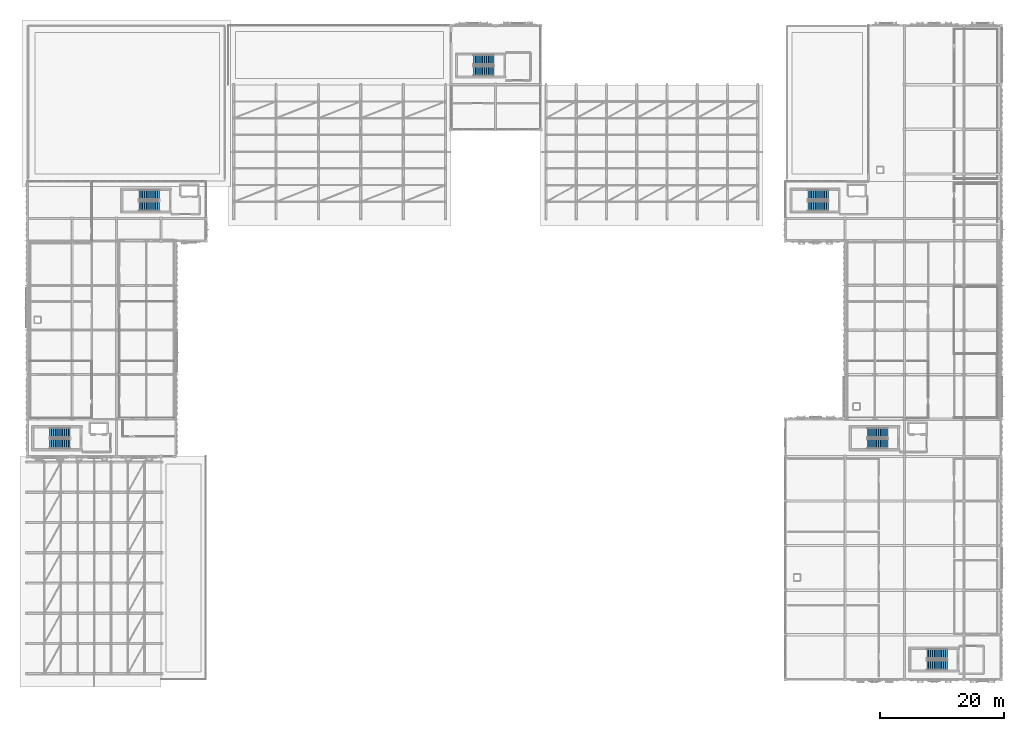
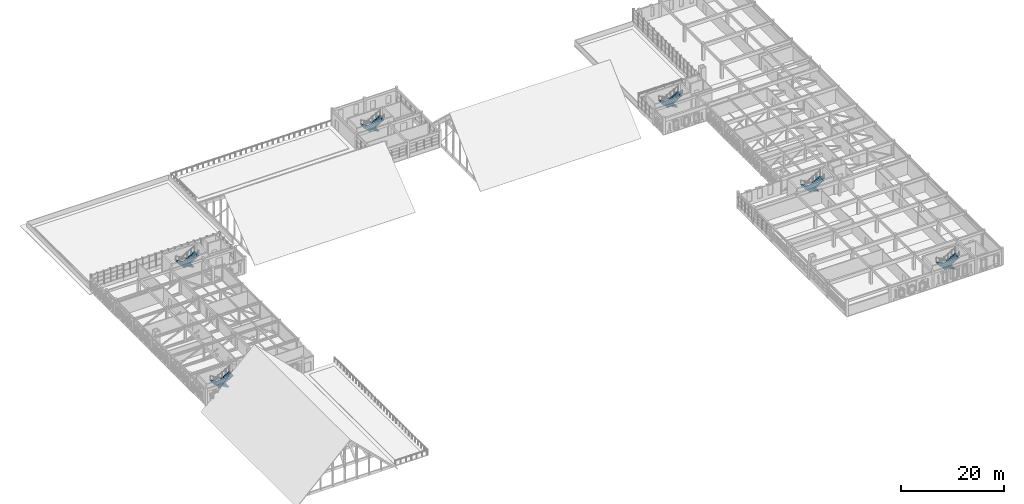
# One storey, part 54 of 79: 12 stair flights, 6 elements without a shape of their own.
"""IFC4 building model written with IfcOpenShell, lengths in metres."""

from ifc_helpers import new_model, si_unit, direction, frame, origin, place, context, subcontext, project, spatial, polyline, outline, extrude, material, type_object, element, aggregate, save


model = new_model("IFC4")

# Units and contexts
model_context = context("Model", 3, precision=1e-05, world=origin(), true_north=direction((0.0, 1.0)))
body_context = subcontext(model_context, "Body", "Model", "MODEL_VIEW")
ifc_project = project(units=[si_unit("LENGTHUNIT", "METRE"), si_unit("AREAUNIT", "SQUARE_METRE"), si_unit("VOLUMEUNIT", "CUBIC_METRE"), si_unit("PLANEANGLEUNIT", "RADIAN"), si_unit("MASSUNIT", "GRAM", prefix="KILO")], contexts=[model_context])

# Site, building, storey
site_placement = place(None, origin())
site = spatial("IfcSite", under=ifc_project, at=site_placement, CompositionType="ELEMENT")
building_placement = place(site_placement, origin())
building = spatial("IfcBuilding", under=site, at=building_placement, Name="Nzembalo Square Collegiate School", CompositionType="ELEMENT")
storey_placement = place(building_placement, frame((0.0, 0.0, 9.52001953125)))
storey = spatial("IfcBuildingStorey", under=building, at=storey_placement, Name="L02", CompositionType="ELEMENT", Elevation=9.52001953125)

# Stair, stair flights
ifc_material_1 = material(Name="Precast concrete C40/50", Category="concrete")
stair_type = type_object("IfcStairType", Name="ST-24R", PredefinedType="HALF_TURN_STAIR", material=ifc_material_1)
stair_1_placement = place(storey_placement, origin())
stair_1 = element("IfcStair", 1, at=stair_1_placement, inside=storey, type_object=stair_type, Name="Escape stair ST-04 (C1 L02)", PredefinedType="HALF_TURN_STAIR")
ifc_material_2 = material(Name="Precast concrete C40/50", Category="concrete")
stair_flight_type = type_object("IfcStairFlightType", Name="FL-12R", PredefinedType="STRAIGHT", material=ifc_material_2)
stair_flight_1_placement = place(storey_placement, frame((15.300048828125, 48.199951171875, 0.0), z_axis=(0.0, 0.0, 1.0), x_axis=(-1.0, 0.0, 0.0)))
stair_flight_1 = element("IfcStairFlight", 2, at=stair_flight_1_placement, type_object=stair_flight_type, Name="ST-04 flight 1", NumberOfRisers=12, NumberOfTreads=11, PredefinedType="STRAIGHT", RiserHeight=0.17, TreadLength=0.3, context=body_context, shape_type="SweptSolid", body=[
    extrude(outline(polyline([(0.0, 0.0), (0.0, 0.169921875), (0.300048828125, 0.169921875), (0.300048828125, 0.340087890625), (0.60009765625, 0.340087890625), (0.60009765625, 0.510009765625), (0.89990234375, 0.510009765625), (0.89990234375, 0.679931640625), (1.199951171875, 0.679931640625), (1.199951171875, 0.85009765625), (1.5, 0.85009765625), (1.5, 1.02001953125), (1.800048828125, 1.02001953125), (1.800048828125, 1.18994140625), (2.10009765625, 1.18994140625), (2.10009765625, 1.360107421875), (2.39990234375, 1.360107421875), (2.39990234375, 1.530029296875), (2.699951171875, 1.530029296875), (2.699951171875, 1.699951171875), (3.0, 1.699951171875), (3.0, 1.8701171875), (3.300048828125, 1.8701171875), (3.300048828125, 2.0400390625), (3.300048828125, 1.686279296875), (0.324462890625, 0.0), (0.0, 0.0)])), frame((0.0, 0.800048828125, 0.0), z_axis=(0.0, -1.0, 0.0), x_axis=(1.0, 0.0, 0.0)), (0.0, 0.0, 1.0), 1.60009765625),
])
stair_flight_2_placement = place(storey_placement, frame((12.0, 46.39990234375, 2.0400390625), z_axis=(0.0, 0.0, 1.0), x_axis=(1.0, 0.0, 0.0)))
stair_flight_2 = element("IfcStairFlight", 3, at=stair_flight_2_placement, type_object=stair_flight_type, Name="ST-04 flight 2", NumberOfRisers=12, NumberOfTreads=11, PredefinedType="STRAIGHT", RiserHeight=0.17, TreadLength=0.3, context=body_context, shape_type="SweptSolid", body=[
    extrude(outline(polyline([(0.0, 0.0), (0.0, 0.169921875), (0.300048828125, 0.169921875), (0.300048828125, 0.340087890625), (0.60009765625, 0.340087890625), (0.60009765625, 0.510009765625), (0.89990234375, 0.510009765625), (0.89990234375, 0.679931640625), (1.199951171875, 0.679931640625), (1.199951171875, 0.85009765625), (1.5, 0.85009765625), (1.5, 1.02001953125), (1.800048828125, 1.02001953125), (1.800048828125, 1.18994140625), (2.10009765625, 1.18994140625), (2.10009765625, 1.360107421875), (2.39990234375, 1.360107421875), (2.39990234375, 1.530029296875), (2.699951171875, 1.530029296875), (2.699951171875, 1.699951171875), (3.0, 1.699951171875), (3.0, 1.8701171875), (3.300048828125, 1.8701171875), (3.300048828125, 2.0400390625), (3.300048828125, 1.686279296875), (0.324462890625, 0.0), (0.0, 0.0)])), frame((0.0, 0.800048828125, 0.0), z_axis=(0.0, -1.0, 0.0), x_axis=(1.0, 0.0, 0.0)), (0.0, 0.0, 1.0), 1.60009765625),
])
aggregate(stair_1, [stair_flight_1, stair_flight_2])

stair_2_placement = place(storey_placement, origin())
stair_2 = element("IfcStair", 4, at=stair_2_placement, inside=storey, type_object=stair_type, Name="Escape stair ST-08 (C2 L02)", PredefinedType="HALF_TURN_STAIR")
stair_flight_3_placement = place(storey_placement, frame((29.699951171875, 86.60009765625, 0.0), z_axis=(0.0, 0.0, 1.0), x_axis=(-1.0, 0.0, 0.0)))
stair_flight_3 = element("IfcStairFlight", 5, at=stair_flight_3_placement, type_object=stair_flight_type, Name="ST-08 flight 1", NumberOfRisers=12, NumberOfTreads=11, PredefinedType="STRAIGHT", RiserHeight=0.17, TreadLength=0.3, context=body_context, shape_type="SweptSolid", body=[
    extrude(outline(polyline([(0.0, 0.0), (0.0, 0.169921875), (0.300048828125, 0.169921875), (0.300048828125, 0.340087890625), (0.60009765625, 0.340087890625), (0.60009765625, 0.510009765625), (0.89990234375, 0.510009765625), (0.89990234375, 0.679931640625), (1.199951171875, 0.679931640625), (1.199951171875, 0.85009765625), (1.5, 0.85009765625), (1.5, 1.02001953125), (1.800048828125, 1.02001953125), (1.800048828125, 1.18994140625), (2.10009765625, 1.18994140625), (2.10009765625, 1.360107421875), (2.39990234375, 1.360107421875), (2.39990234375, 1.530029296875), (2.699951171875, 1.530029296875), (2.699951171875, 1.699951171875), (3.0, 1.699951171875), (3.0, 1.8701171875), (3.300048828125, 1.8701171875), (3.300048828125, 2.0400390625), (3.300048828125, 1.686279296875), (0.324462890625, 0.0), (0.0, 0.0)])), frame((0.0, 0.800048828125, 0.0), z_axis=(0.0, -1.0, 0.0), x_axis=(1.0, 0.0, 0.0)), (0.0, 0.0, 1.0), 1.60009765625),
])
stair_flight_4_placement = place(storey_placement, frame((26.39990234375, 84.800048828125, 2.0400390625), z_axis=(0.0, 0.0, 1.0), x_axis=(1.0, 0.0, 0.0)))
stair_flight_4 = element("IfcStairFlight", 6, at=stair_flight_4_placement, type_object=stair_flight_type, Name="ST-08 flight 2", NumberOfRisers=12, NumberOfTreads=11, PredefinedType="STRAIGHT", RiserHeight=0.17, TreadLength=0.3, context=body_context, shape_type="SweptSolid", body=[
    extrude(outline(polyline([(0.0, 0.0), (0.0, 0.169921875), (0.300048828125, 0.169921875), (0.300048828125, 0.340087890625), (0.60009765625, 0.340087890625), (0.60009765625, 0.510009765625), (0.89990234375, 0.510009765625), (0.89990234375, 0.679931640625), (1.199951171875, 0.679931640625), (1.199951171875, 0.85009765625), (1.5, 0.85009765625), (1.5, 1.02001953125), (1.800048828125, 1.02001953125), (1.800048828125, 1.18994140625), (2.10009765625, 1.18994140625), (2.10009765625, 1.360107421875), (2.39990234375, 1.360107421875), (2.39990234375, 1.530029296875), (2.699951171875, 1.530029296875), (2.699951171875, 1.699951171875), (3.0, 1.699951171875), (3.0, 1.8701171875), (3.300048828125, 1.8701171875), (3.300048828125, 2.0400390625), (3.300048828125, 1.686279296875), (0.324462890625, 0.0), (0.0, 0.0)])), frame((0.0, 0.800048828125, 0.0), z_axis=(0.0, -1.0, 0.0), x_axis=(1.0, 0.0, 0.0)), (0.0, 0.0, 1.0), 1.60009765625),
])
aggregate(stair_2, [stair_flight_3, stair_flight_4])

stair_3_placement = place(storey_placement, origin())
stair_3 = element("IfcStair", 7, at=stair_3_placement, inside=storey, type_object=stair_type, Name="Escape stair ST-12 (C3 L02)", PredefinedType="HALF_TURN_STAIR")
stair_flight_5_placement = place(storey_placement, frame((83.699951171875, 108.39990234375, 0.0), z_axis=(0.0, 0.0, 1.0), x_axis=(-1.0, 0.0, 0.0)))
stair_flight_5 = element("IfcStairFlight", 8, at=stair_flight_5_placement, type_object=stair_flight_type, Name="ST-12 flight 1", NumberOfRisers=12, NumberOfTreads=11, PredefinedType="STRAIGHT", RiserHeight=0.17, TreadLength=0.3, context=body_context, shape_type="SweptSolid", body=[
    extrude(outline(polyline([(0.0, 0.0), (0.0, 0.169921875), (0.300048828125, 0.169921875), (0.300048828125, 0.340087890625), (0.60009765625, 0.340087890625), (0.60009765625, 0.510009765625), (0.89990234375, 0.510009765625), (0.89990234375, 0.679931640625), (1.199951171875, 0.679931640625), (1.199951171875, 0.85009765625), (1.5, 0.85009765625), (1.5, 1.02001953125), (1.800048828125, 1.02001953125), (1.800048828125, 1.18994140625), (2.10009765625, 1.18994140625), (2.10009765625, 1.360107421875), (2.39990234375, 1.360107421875), (2.39990234375, 1.530029296875), (2.699951171875, 1.530029296875), (2.699951171875, 1.699951171875), (3.0, 1.699951171875), (3.0, 1.8701171875), (3.300048828125, 1.8701171875), (3.300048828125, 2.0400390625), (3.300048828125, 1.686279296875), (0.324462890625, 0.0), (0.0, 0.0)])), frame((0.0, 0.800048828125, 0.0), z_axis=(0.0, -1.0, 0.0), x_axis=(1.0, 0.0, 0.0)), (0.0, 0.0, 1.0), 1.60009765625),
])
stair_flight_6_placement = place(storey_placement, frame((80.39990234375, 106.60009765625, 2.0400390625), z_axis=(0.0, 0.0, 1.0), x_axis=(1.0, 0.0, 0.0)))
stair_flight_6 = element("IfcStairFlight", 9, at=stair_flight_6_placement, type_object=stair_flight_type, Name="ST-12 flight 2", NumberOfRisers=12, NumberOfTreads=11, PredefinedType="STRAIGHT", RiserHeight=0.17, TreadLength=0.3, context=body_context, shape_type="SweptSolid", body=[
    extrude(outline(polyline([(0.0, 0.0), (0.0, 0.169921875), (0.300048828125, 0.169921875), (0.300048828125, 0.340087890625), (0.60009765625, 0.340087890625), (0.60009765625, 0.510009765625), (0.89990234375, 0.510009765625), (0.89990234375, 0.679931640625), (1.199951171875, 0.679931640625), (1.199951171875, 0.85009765625), (1.5, 0.85009765625), (1.5, 1.02001953125), (1.800048828125, 1.02001953125), (1.800048828125, 1.18994140625), (2.10009765625, 1.18994140625), (2.10009765625, 1.360107421875), (2.39990234375, 1.360107421875), (2.39990234375, 1.530029296875), (2.699951171875, 1.530029296875), (2.699951171875, 1.699951171875), (3.0, 1.699951171875), (3.0, 1.8701171875), (3.300048828125, 1.8701171875), (3.300048828125, 2.0400390625), (3.300048828125, 1.686279296875), (0.324462890625, 0.0), (0.0, 0.0)])), frame((0.0, 0.800048828125, 0.0), z_axis=(0.0, -1.0, 0.0), x_axis=(1.0, 0.0, 0.0)), (0.0, 0.0, 1.0), 1.60009765625),
])
aggregate(stair_3, [stair_flight_5, stair_flight_6])

stair_4_placement = place(storey_placement, origin())
stair_4 = element("IfcStair", 10, at=stair_4_placement, inside=storey, type_object=stair_type, Name="Escape stair ST-15 (C4 L02)", PredefinedType="HALF_TURN_STAIR")
stair_flight_7_placement = place(storey_placement, frame((137.699951171875, 86.60009765625, 0.0), z_axis=(0.0, 0.0, 1.0), x_axis=(-1.0, 0.0, 0.0)))
stair_flight_7 = element("IfcStairFlight", 11, at=stair_flight_7_placement, type_object=stair_flight_type, Name="ST-15 flight 1", NumberOfRisers=12, NumberOfTreads=11, PredefinedType="STRAIGHT", RiserHeight=0.17, TreadLength=0.3, context=body_context, shape_type="SweptSolid", body=[
    extrude(outline(polyline([(0.0, 0.0), (0.0, 0.169921875), (0.300048828125, 0.169921875), (0.300048828125, 0.340087890625), (0.60009765625, 0.340087890625), (0.60009765625, 0.510009765625), (0.89990234375, 0.510009765625), (0.89990234375, 0.679931640625), (1.199951171875, 0.679931640625), (1.199951171875, 0.85009765625), (1.5, 0.85009765625), (1.5, 1.02001953125), (1.800048828125, 1.02001953125), (1.800048828125, 1.18994140625), (2.10009765625, 1.18994140625), (2.10009765625, 1.360107421875), (2.39990234375, 1.360107421875), (2.39990234375, 1.530029296875), (2.699951171875, 1.530029296875), (2.699951171875, 1.699951171875), (3.0, 1.699951171875), (3.0, 1.8701171875), (3.300048828125, 1.8701171875), (3.300048828125, 2.0400390625), (3.300048828125, 1.686279296875), (0.324462890625, 0.0), (0.0, 0.0)])), frame((0.0, 0.800048828125, 0.0), z_axis=(0.0, -1.0, 0.0), x_axis=(1.0, 0.0, 0.0)), (0.0, 0.0, 1.0), 1.60009765625),
])
stair_flight_8_placement = place(storey_placement, frame((134.39990234375, 84.800048828125, 2.0400390625), z_axis=(0.0, 0.0, 1.0), x_axis=(1.0, 0.0, 0.0)))
stair_flight_8 = element("IfcStairFlight", 12, at=stair_flight_8_placement, type_object=stair_flight_type, Name="ST-15 flight 2", NumberOfRisers=12, NumberOfTreads=11, PredefinedType="STRAIGHT", RiserHeight=0.17, TreadLength=0.3, context=body_context, shape_type="SweptSolid", body=[
    extrude(outline(polyline([(0.0, 0.0), (0.0, 0.169921875), (0.300048828125, 0.169921875), (0.300048828125, 0.340087890625), (0.60009765625, 0.340087890625), (0.60009765625, 0.510009765625), (0.89990234375, 0.510009765625), (0.89990234375, 0.679931640625), (1.199951171875, 0.679931640625), (1.199951171875, 0.85009765625), (1.5, 0.85009765625), (1.5, 1.02001953125), (1.800048828125, 1.02001953125), (1.800048828125, 1.18994140625), (2.10009765625, 1.18994140625), (2.10009765625, 1.360107421875), (2.39990234375, 1.360107421875), (2.39990234375, 1.530029296875), (2.699951171875, 1.530029296875), (2.699951171875, 1.699951171875), (3.0, 1.699951171875), (3.0, 1.8701171875), (3.300048828125, 1.8701171875), (3.300048828125, 2.0400390625), (3.300048828125, 1.686279296875), (0.324462890625, 0.0), (0.0, 0.0)])), frame((0.0, 0.800048828125, 0.0), z_axis=(0.0, -1.0, 0.0), x_axis=(1.0, 0.0, 0.0)), (0.0, 0.0, 1.0), 1.60009765625),
])
aggregate(stair_4, [stair_flight_7, stair_flight_8])

stair_5_placement = place(storey_placement, origin())
stair_5 = element("IfcStair", 13, at=stair_5_placement, inside=storey, type_object=stair_type, Name="Escape stair ST-21 (C5 L02)", PredefinedType="HALF_TURN_STAIR")
stair_flight_9_placement = place(storey_placement, frame((147.300048828125, 48.199951171875, 0.0), z_axis=(0.0, 0.0, 1.0), x_axis=(-1.0, 0.0, 0.0)))
stair_flight_9 = element("IfcStairFlight", 14, at=stair_flight_9_placement, type_object=stair_flight_type, Name="ST-21 flight 1", NumberOfRisers=12, NumberOfTreads=11, PredefinedType="STRAIGHT", RiserHeight=0.17, TreadLength=0.3, context=body_context, shape_type="SweptSolid", body=[
    extrude(outline(polyline([(0.0, 0.0), (0.0, 0.169921875), (0.300048828125, 0.169921875), (0.300048828125, 0.340087890625), (0.60009765625, 0.340087890625), (0.60009765625, 0.510009765625), (0.89990234375, 0.510009765625), (0.89990234375, 0.679931640625), (1.199951171875, 0.679931640625), (1.199951171875, 0.85009765625), (1.5, 0.85009765625), (1.5, 1.02001953125), (1.800048828125, 1.02001953125), (1.800048828125, 1.18994140625), (2.10009765625, 1.18994140625), (2.10009765625, 1.360107421875), (2.39990234375, 1.360107421875), (2.39990234375, 1.530029296875), (2.699951171875, 1.530029296875), (2.699951171875, 1.699951171875), (3.0, 1.699951171875), (3.0, 1.8701171875), (3.300048828125, 1.8701171875), (3.300048828125, 2.0400390625), (3.300048828125, 1.686279296875), (0.324462890625, 0.0), (0.0, 0.0)])), frame((0.0, 0.800048828125, 0.0), z_axis=(0.0, -1.0, 0.0), x_axis=(1.0, 0.0, 0.0)), (0.0, 0.0, 1.0), 1.60009765625),
])
stair_flight_10_placement = place(storey_placement, frame((144.0, 46.39990234375, 2.0400390625), z_axis=(0.0, 0.0, 1.0), x_axis=(1.0, 0.0, 0.0)))
stair_flight_10 = element("IfcStairFlight", 15, at=stair_flight_10_placement, type_object=stair_flight_type, Name="ST-21 flight 2", NumberOfRisers=12, NumberOfTreads=11, PredefinedType="STRAIGHT", RiserHeight=0.17, TreadLength=0.3, context=body_context, shape_type="SweptSolid", body=[
    extrude(outline(polyline([(0.0, 0.0), (0.0, 0.169921875), (0.300048828125, 0.169921875), (0.300048828125, 0.340087890625), (0.60009765625, 0.340087890625), (0.60009765625, 0.510009765625), (0.89990234375, 0.510009765625), (0.89990234375, 0.679931640625), (1.199951171875, 0.679931640625), (1.199951171875, 0.85009765625), (1.5, 0.85009765625), (1.5, 1.02001953125), (1.800048828125, 1.02001953125), (1.800048828125, 1.18994140625), (2.10009765625, 1.18994140625), (2.10009765625, 1.360107421875), (2.39990234375, 1.360107421875), (2.39990234375, 1.530029296875), (2.699951171875, 1.530029296875), (2.699951171875, 1.699951171875), (3.0, 1.699951171875), (3.0, 1.8701171875), (3.300048828125, 1.8701171875), (3.300048828125, 2.0400390625), (3.300048828125, 1.686279296875), (0.324462890625, 0.0), (0.0, 0.0)])), frame((0.0, 0.800048828125, 0.0), z_axis=(0.0, -1.0, 0.0), x_axis=(1.0, 0.0, 0.0)), (0.0, 0.0, 1.0), 1.60009765625),
])
aggregate(stair_5, [stair_flight_9, stair_flight_10])

stair_6_placement = place(storey_placement, origin())
stair_6 = element("IfcStair", 16, at=stair_6_placement, inside=storey, type_object=stair_type, Name="Escape stair ST-26 (C6 L02)", PredefinedType="HALF_TURN_STAIR")
stair_flight_11_placement = place(storey_placement, frame((156.89990234375, 12.5, 0.0), z_axis=(0.0, 0.0, 1.0), x_axis=(-1.0, 0.0, 0.0)))
stair_flight_11 = element("IfcStairFlight", 17, at=stair_flight_11_placement, type_object=stair_flight_type, Name="ST-26 flight 1", NumberOfRisers=12, NumberOfTreads=11, PredefinedType="STRAIGHT", RiserHeight=0.17, TreadLength=0.3, context=body_context, shape_type="SweptSolid", body=[
    extrude(outline(polyline([(0.0, 0.0), (0.0, 0.169921875), (0.300048828125, 0.169921875), (0.300048828125, 0.340087890625), (0.60009765625, 0.340087890625), (0.60009765625, 0.510009765625), (0.89990234375, 0.510009765625), (0.89990234375, 0.679931640625), (1.199951171875, 0.679931640625), (1.199951171875, 0.85009765625), (1.5, 0.85009765625), (1.5, 1.02001953125), (1.800048828125, 1.02001953125), (1.800048828125, 1.18994140625), (2.10009765625, 1.18994140625), (2.10009765625, 1.360107421875), (2.39990234375, 1.360107421875), (2.39990234375, 1.530029296875), (2.699951171875, 1.530029296875), (2.699951171875, 1.699951171875), (3.0, 1.699951171875), (3.0, 1.8701171875), (3.300048828125, 1.8701171875), (3.300048828125, 2.0400390625), (3.300048828125, 1.686279296875), (0.324462890625, 0.0), (0.0, 0.0)])), frame((0.0, 0.800048828125, 0.0), z_axis=(0.0, -1.0, 0.0), x_axis=(1.0, 0.0, 0.0)), (0.0, 0.0, 1.0), 1.60009765625),
])
stair_flight_12_placement = place(storey_placement, frame((153.60009765625, 10.699951171875, 2.0400390625), z_axis=(0.0, 0.0, 1.0), x_axis=(1.0, 0.0, 0.0)))
stair_flight_12 = element("IfcStairFlight", 18, at=stair_flight_12_placement, type_object=stair_flight_type, Name="ST-26 flight 2", NumberOfRisers=12, NumberOfTreads=11, PredefinedType="STRAIGHT", RiserHeight=0.17, TreadLength=0.3, context=body_context, shape_type="SweptSolid", body=[
    extrude(outline(polyline([(0.0, 0.0), (0.0, 0.169921875), (0.300048828125, 0.169921875), (0.300048828125, 0.340087890625), (0.60009765625, 0.340087890625), (0.60009765625, 0.510009765625), (0.89990234375, 0.510009765625), (0.89990234375, 0.679931640625), (1.199951171875, 0.679931640625), (1.199951171875, 0.85009765625), (1.5, 0.85009765625), (1.5, 1.02001953125), (1.800048828125, 1.02001953125), (1.800048828125, 1.18994140625), (2.10009765625, 1.18994140625), (2.10009765625, 1.360107421875), (2.39990234375, 1.360107421875), (2.39990234375, 1.530029296875), (2.699951171875, 1.530029296875), (2.699951171875, 1.699951171875), (3.0, 1.699951171875), (3.0, 1.8701171875), (3.300048828125, 1.8701171875), (3.300048828125, 2.0400390625), (3.300048828125, 1.686279296875), (0.324462890625, 0.0), (0.0, 0.0)])), frame((0.0, 0.800048828125, 0.0), z_axis=(0.0, -1.0, 0.0), x_axis=(1.0, 0.0, 0.0)), (0.0, 0.0, 1.0), 1.60009765625),
])
aggregate(stair_6, [stair_flight_11, stair_flight_12])

save(model, "model.ifc")
